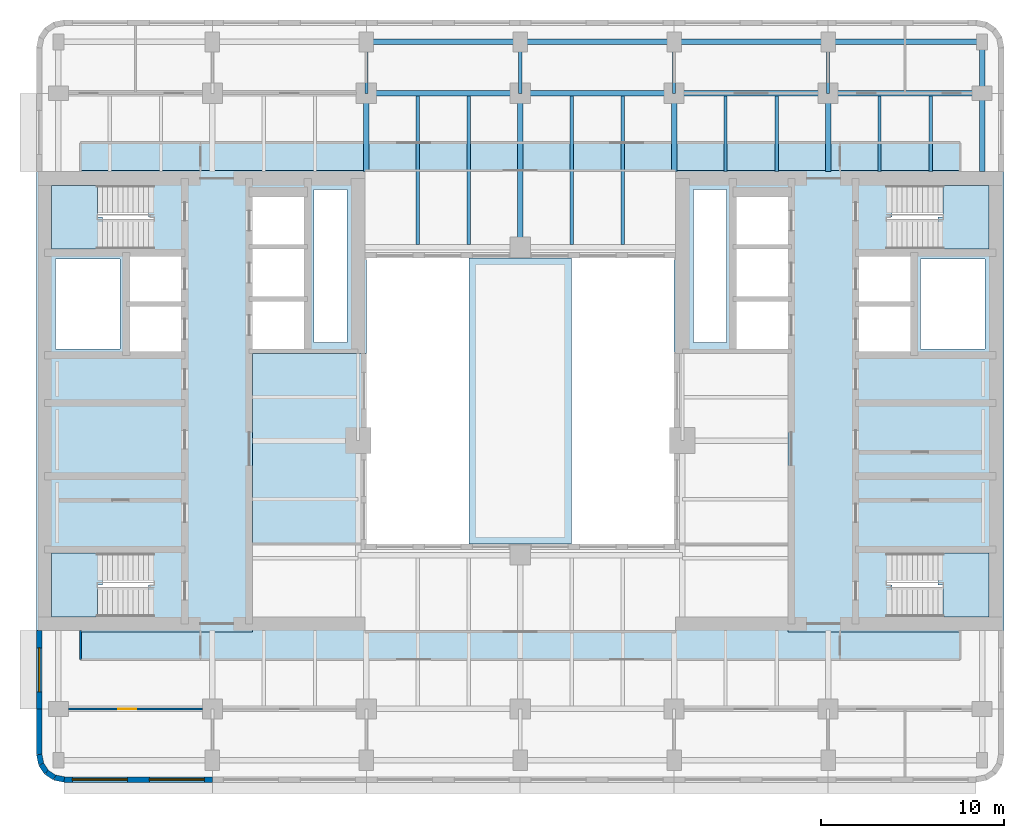
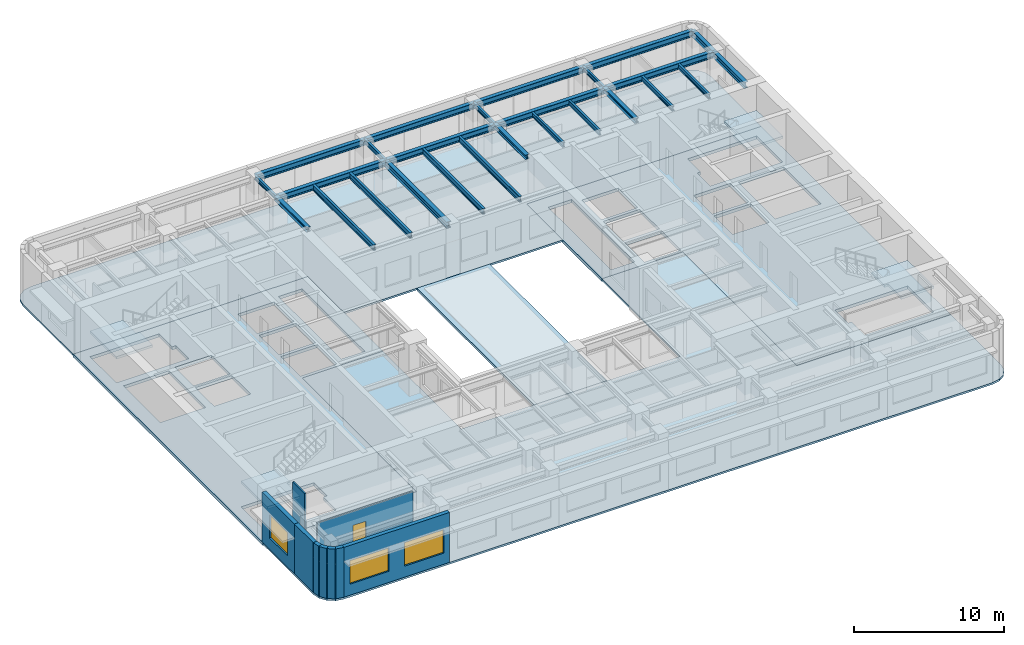
# One storey, part 2 of 11: 26 beams, 9 slabs, 9 walls, 3 windows, 1 door, 4 openings, 4 elements without a shape of their own.
"""IFC4 building model written with IfcOpenShell, lengths in metres."""

from ifc_helpers import new_model, si_unit, direction, frame, frame_2d, origin, origin_2d, place, context, subcontext, project, spatial, polyline, rectangle, i_section, outline, extrude, material, layer, layer_set, material_profile, profile_set, type_object, element, fill, aggregate, save


model = new_model("IFC4")

# Units and contexts
model_context = context("Model", 3, precision=1e-05, world=origin(), true_north=direction((0.0, 1.0)))
body_context = subcontext(model_context, "Body", "Model", "MODEL_VIEW")
ifc_project = project(units=[si_unit("LENGTHUNIT", "METRE"), si_unit("AREAUNIT", "SQUARE_METRE"), si_unit("VOLUMEUNIT", "CUBIC_METRE"), si_unit("PLANEANGLEUNIT", "RADIAN"), si_unit("MASSUNIT", "GRAM", prefix="KILO")], contexts=[model_context])

# Site, building, storey
site_placement = place(None, origin())
site = spatial("IfcSite", under=ifc_project, at=site_placement, CompositionType="ELEMENT")
building_placement = place(site_placement, origin())
building = spatial("IfcBuilding", under=site, at=building_placement, Name="Claustro Exchange Tower", CompositionType="ELEMENT")
storey_placement = place(building_placement, frame((0.0, 0.0, 177.60009765625)))
storey = spatial("IfcBuildingStorey", under=building, at=storey_placement, Name="L40", CompositionType="ELEMENT", Elevation=177.60009765625)

# Beams
ifc_material_1 = material(Name="Steel S355", Category="steel")
ifc_material_profile_1 = material_profile(ifc_material_1, i_section(OverallWidth=0.169921875, OverallDepth=0.360107421875, WebThickness=0.008056640625, FlangeThickness=0.0126953125, FilletRadius=0.01806640625, at=origin_2d()), Name="IPE 360")
ifc_profile_set_1 = profile_set([ifc_material_profile_1], Name="Steel S355")
beam_type_1 = type_object("IfcBeamType", Name="B16 IPE 360 short-span beam", PredefinedType="BEAM", material=ifc_profile_set_1)
for number, where, z_axis, x_axis, name in (
    (1, (16.800048828125, 42.0, 3.869873046875), (0.0, 1.0, 0.0), (-1.0, 0.0, 0.0), "Beam B16 L41"),
    (2, (25.199951171875, 42.0, 3.869873046875), (0.0, 1.0, 0.0), (-1.0, 0.0, 0.0), "Beam B16 L41"),
    (3, (33.60009765625, 42.0, 3.869873046875), (0.0, 1.0, 0.0), (-1.0, 0.0, 0.0), "Beam B16 L41"),
    (4, (42.0, 42.0, 3.869873046875), (0.0, 1.0, 0.0), (-1.0, 0.0, 0.0), "Beam B16 L41"),
):
    element("IfcBeam", number, at=place(storey_placement, frame(where, z_axis=z_axis, x_axis=x_axis)), inside=storey, type_object=beam_type_1, Name=name, PredefinedType="BEAM", context=body_context, shape_type="SweptSolid", body=[
        extrude(i_section(OverallWidth=0.169921875, OverallDepth=0.360107421875, WebThickness=0.008056640625, FlangeThickness=0.0126953125, FilletRadius=0.01806640625, at=origin_2d()), origin(), (0.0, 0.0, 1.0), 2.800048828125),
    ])
for number, where, z_axis, x_axis, name in (
    (5, (36.39990234375, 37.72509765625, 3.869873046875), (0.0, 1.0, 0.0), (-1.0, 0.0, 0.0), "Beam B16 L41"),
    (6, (39.199951171875, 37.72509765625, 3.869873046875), (0.0, 1.0, 0.0), (-1.0, 0.0, 0.0), "Beam B16 L41"),
    (7, (44.800048828125, 37.72509765625, 3.869873046875), (0.0, 1.0, 0.0), (-1.0, 0.0, 0.0), "Beam B16 L41"),
    (8, (47.60009765625, 37.72509765625, 3.869873046875), (0.0, 1.0, 0.0), (-1.0, 0.0, 0.0), "Beam B16 L41"),
):
    element("IfcBeam", number, at=place(storey_placement, frame(where, z_axis=z_axis, x_axis=x_axis)), inside=storey, type_object=beam_type_1, Name=name, PredefinedType="BEAM", context=body_context, shape_type="SweptSolid", body=[
        extrude(i_section(OverallWidth=0.169921875, OverallDepth=0.360107421875, WebThickness=0.008056640625, FlangeThickness=0.0126953125, FilletRadius=0.01806640625, at=origin_2d()), origin(), (0.0, 0.0, 1.0), 4.125),
    ])
ifc_material_2 = material(Name="Steel S355", Category="steel")
ifc_material_profile_2 = material_profile(ifc_material_2, i_section(OverallWidth=0.300048828125, OverallDepth=0.360107421875, WebThickness=0.012451171875, FlangeThickness=0.0224609375, FilletRadius=0.027099609375, at=origin_2d()), Name="HE 360 B")
ifc_profile_set_2 = profile_set([ifc_material_profile_2], Name="Steel S355")
beam_type_2 = type_object("IfcBeamType", Name="B29 HE 360 B column to core link beam", PredefinedType="BEAM", material=ifc_profile_set_2)
for number, where, z_axis, x_axis, name in (
    (9, (16.800048828125, 37.72509765625, 3.869873046875), (0.0, 1.0, 0.0), (-1.0, 0.0, 0.0), "Beam B29 L41"),
    (10, (33.60009765625, 37.72509765625, 3.869873046875), (0.0, 1.0, 0.0), (-1.0, 0.0, 0.0), "Beam B29 L41"),
    (11, (42.0, 37.72509765625, 3.869873046875), (0.0, 1.0, 0.0), (-1.0, 0.0, 0.0), "Beam B29 L41"),
):
    element("IfcBeam", number, at=place(storey_placement, frame(where, z_axis=z_axis, x_axis=x_axis)), inside=storey, type_object=beam_type_2, Name=name, PredefinedType="BEAM", context=body_context, shape_type="SweptSolid", body=[
        extrude(i_section(OverallWidth=0.300048828125, OverallDepth=0.360107421875, WebThickness=0.012451171875, FlangeThickness=0.0224609375, FilletRadius=0.027099609375, at=origin_2d()), origin(), (0.0, 0.0, 1.0), 4.27490234375),
    ])
ifc_material_3 = material(Name="Steel S355", Category="steel")
ifc_material_profile_3 = material_profile(ifc_material_3, i_section(OverallWidth=0.300048828125, OverallDepth=0.5, WebThickness=0.014404296875, FlangeThickness=0.028076171875, FilletRadius=0.027099609375, at=origin_2d()), Name="HE 500 B")
ifc_profile_set_3 = profile_set([ifc_material_profile_3], Name="Steel S355")
beam_type_3 = type_object("IfcBeamType", Name="B7 HE 500 B floor girder", PredefinedType="BEAM", material=ifc_profile_set_3)
for number, where, z_axis, x_axis, name in (
    (12, (25.199951171875, 33.60009765625, 3.7998046875), (0.0, 1.0, 0.0), (-1.0, 0.0, 0.0), "Beam B7 L41"),
    (13, (16.800048828125, 42.0, 3.7998046875), (1.0, 0.0, 0.0), (0.0, 1.0, 0.0), "Beam B7 L41"),
):
    element("IfcBeam", number, at=place(storey_placement, frame(where, z_axis=z_axis, x_axis=x_axis)), inside=storey, type_object=beam_type_3, Name=name, PredefinedType="BEAM", context=body_context, shape_type="SweptSolid", body=[
        extrude(i_section(OverallWidth=0.300048828125, OverallDepth=0.5, WebThickness=0.014404296875, FlangeThickness=0.028076171875, FilletRadius=0.027099609375, at=origin_2d()), origin(), (0.0, 0.0, 1.0), 8.39990234375),
    ])
beam_1_placement = place(storey_placement, frame((25.199951171875, 42.0, 3.7998046875), z_axis=(1.0, 0.0, 0.0), x_axis=(0.0, 1.0, 0.0)))
element("IfcBeam", 14, at=beam_1_placement, inside=storey, type_object=beam_type_3, Name="Beam B7 L41", PredefinedType="BEAM", context=body_context, shape_type="SweptSolid", body=[
    extrude(i_section(OverallWidth=0.300048828125, OverallDepth=0.5, WebThickness=0.014404296875, FlangeThickness=0.028076171875, FilletRadius=0.027099609375, at=origin_2d()), origin(), (0.0, 0.0, 1.0), 8.400146484375),
])
for number, where, z_axis, x_axis, name in (
    (15, (33.60009765625, 42.0, 3.7998046875), (1.0, 0.0, 0.0), (0.0, 1.0, 0.0), "Beam B7 L41"),
    (16, (42.0, 42.0, 3.7998046875), (1.0, 0.0, 0.0), (0.0, 1.0, 0.0), "Beam B7 L41"),
):
    element("IfcBeam", number, at=place(storey_placement, frame(where, z_axis=z_axis, x_axis=x_axis)), inside=storey, type_object=beam_type_3, Name=name, PredefinedType="BEAM", context=body_context, shape_type="SweptSolid", body=[
        extrude(i_section(OverallWidth=0.300048828125, OverallDepth=0.5, WebThickness=0.014404296875, FlangeThickness=0.028076171875, FilletRadius=0.027099609375, at=origin_2d()), origin(), (0.0, 0.0, 1.0), 8.39990234375),
    ])
ifc_material_4 = material(Name="Steel S355", Category="steel")
ifc_material_profile_4 = material_profile(ifc_material_4, i_section(OverallWidth=0.18994140625, OverallDepth=0.449951171875, WebThickness=0.009521484375, FlangeThickness=0.0146484375, FilletRadius=0.02099609375, at=origin_2d()), Name="IPE 450")
ifc_profile_set_4 = profile_set([ifc_material_profile_4], Name="Steel S355")
beam_type_4 = type_object("IfcBeamType", Name="B8 IPE 450 secondary beam", PredefinedType="BEAM", material=ifc_profile_set_4)
for number, where, z_axis, x_axis, name in (
    (17, (19.60009765625, 33.75, 3.824951171875), (0.0, 1.0, 0.0), (-1.0, 0.0, 0.0), "Beam B8 L41"),
    (18, (22.39990234375, 33.75, 3.824951171875), (0.0, 1.0, 0.0), (-1.0, 0.0, 0.0), "Beam B8 L41"),
    (19, (28.0, 33.75, 3.824951171875), (0.0, 1.0, 0.0), (-1.0, 0.0, 0.0), "Beam B8 L41"),
    (20, (30.800048828125, 33.75, 3.824951171875), (0.0, 1.0, 0.0), (-1.0, 0.0, 0.0), "Beam B8 L41"),
):
    element("IfcBeam", number, at=place(storey_placement, frame(where, z_axis=z_axis, x_axis=x_axis)), inside=storey, type_object=beam_type_4, Name=name, PredefinedType="BEAM", context=body_context, shape_type="SweptSolid", body=[
        extrude(i_section(OverallWidth=0.18994140625, OverallDepth=0.449951171875, WebThickness=0.009521484375, FlangeThickness=0.0146484375, FilletRadius=0.02099609375, at=origin_2d()), origin(), (0.0, 0.0, 1.0), 8.10009765625),
    ])
ifc_material_5 = material(Name="Steel S355", Category="steel")
ifc_material_profile_5 = material_profile(ifc_material_5, i_section(OverallWidth=0.300048828125, OverallDepth=0.489990234375, WebThickness=0.011962890625, FlangeThickness=0.02294921875, FilletRadius=0.027099609375, at=origin_2d()), Name="HE 500 A")
ifc_profile_set_5 = profile_set([ifc_material_profile_5], Name="Steel S355")
beam_type_5 = type_object("IfcBeamType", Name="B9 HE 500 A spandrel edge girder", PredefinedType="SPANDREL", material=ifc_profile_set_5)
beam_2_placement = place(storey_placement, frame((50.39990234375, 37.72509765625, 3.804931640625), z_axis=(0.0, 1.0, 0.0), x_axis=(-1.0, 0.0, 0.0)))
element("IfcBeam", 21, at=beam_2_placement, inside=storey, type_object=beam_type_5, Name="Beam B9 L41", PredefinedType="SPANDREL", context=body_context, shape_type="SweptSolid", body=[
    extrude(i_section(OverallWidth=0.300048828125, OverallDepth=0.489990234375, WebThickness=0.011962890625, FlangeThickness=0.02294921875, FilletRadius=0.027099609375, at=origin_2d()), origin(), (0.0, 0.0, 1.0), 4.27490234375),
])
beam_3_placement = place(storey_placement, frame((50.39990234375, 42.0, 3.804931640625), z_axis=(0.0, 1.0, 0.0), x_axis=(-1.0, 0.0, 0.0)))
element("IfcBeam", 22, at=beam_3_placement, inside=storey, type_object=beam_type_5, Name="Beam B9 L41", PredefinedType="SPANDREL", context=body_context, shape_type="SweptSolid", body=[
    extrude(i_section(OverallWidth=0.300048828125, OverallDepth=0.489990234375, WebThickness=0.011962890625, FlangeThickness=0.02294921875, FilletRadius=0.027099609375, at=origin_2d()), origin(), (0.0, 0.0, 1.0), 2.800048828125),
])
beam_4_placement = place(storey_placement, frame((16.800048828125, 44.800048828125, 3.804931640625), z_axis=(1.0, 0.0, 0.0), x_axis=(0.0, 1.0, 0.0)))
element("IfcBeam", 23, at=beam_4_placement, inside=storey, type_object=beam_type_5, Name="Beam B9 L41", PredefinedType="SPANDREL", context=body_context, shape_type="SweptSolid", body=[
    extrude(i_section(OverallWidth=0.300048828125, OverallDepth=0.489990234375, WebThickness=0.011962890625, FlangeThickness=0.02294921875, FilletRadius=0.027099609375, at=origin_2d()), origin(), (0.0, 0.0, 1.0), 8.39990234375),
])
beam_5_placement = place(storey_placement, frame((25.199951171875, 44.800048828125, 3.804931640625), z_axis=(1.0, 0.0, 0.0), x_axis=(0.0, 1.0, 0.0)))
element("IfcBeam", 24, at=beam_5_placement, inside=storey, type_object=beam_type_5, Name="Beam B9 L41", PredefinedType="SPANDREL", context=body_context, shape_type="SweptSolid", body=[
    extrude(i_section(OverallWidth=0.300048828125, OverallDepth=0.489990234375, WebThickness=0.011962890625, FlangeThickness=0.02294921875, FilletRadius=0.027099609375, at=origin_2d()), origin(), (0.0, 0.0, 1.0), 8.400146484375),
])
for number, where, z_axis, x_axis, name in (
    (25, (33.60009765625, 44.800048828125, 3.804931640625), (1.0, 0.0, 0.0), (0.0, 1.0, 0.0), "Beam B9 L41"),
    (26, (42.0, 44.800048828125, 3.804931640625), (1.0, 0.0, 0.0), (0.0, 1.0, 0.0), "Beam B9 L41"),
):
    element("IfcBeam", number, at=place(storey_placement, frame(where, z_axis=z_axis, x_axis=x_axis)), inside=storey, type_object=beam_type_5, Name=name, PredefinedType="SPANDREL", context=body_context, shape_type="SweptSolid", body=[
        extrude(i_section(OverallWidth=0.300048828125, OverallDepth=0.489990234375, WebThickness=0.011962890625, FlangeThickness=0.02294921875, FilletRadius=0.027099609375, at=origin_2d()), origin(), (0.0, 0.0, 1.0), 8.39990234375),
    ])

# Slabs
ifc_material_6 = material(Name="Concrete HA-50 (C50/60)", Category="concrete")
ifc_layer_1 = layer(ifc_material_6, 0.14990234375)
ifc_layer_set_1 = layer_set([ifc_layer_1], Name="Concrete HA-50 (C50/60)")
slab_type_1 = type_object("IfcSlabType", Name="S2 150 composite floor slab", PredefinedType="FLOOR", material=ifc_layer_set_1)
slab_1_placement = place(storey_placement, frame((0.0, 0.0, -0.150146484375)))
element("IfcSlab", 27, at=slab_1_placement, inside=storey, type_object=slab_type_1, Name="Floor slab S2 S L40", PredefinedType="FLOOR", context=body_context, shape_type="SweptSolid", body=[
    extrude(outline(polyline([(-0.27392578125, 4.51416015625), (0.300048828125, 4.39990234375), (50.10009765625, 4.39990234375), (50.674072265625, 4.51416015625), (51.16064453125, 4.83935546875), (51.48583984375, 5.325927734375), (51.60009765625, 5.89990234375), (51.60009765625, 12.60009765625), (39.800048828125, 12.60009765625), (39.800048828125, 27.800048828125), (33.60009765625, 27.800048828125), (33.60009765625, 17.39990234375), (16.800048828125, 17.39990234375), (16.800048828125, 27.800048828125), (10.60009765625, 27.800048828125), (10.60009765625, 12.60009765625), (-1.199951171875, 12.60009765625), (-1.199951171875, 5.89990234375), (-1.085693359375, 5.325927734375), (-0.7607421875, 4.83935546875), (-0.27392578125, 4.51416015625)])), origin(), (0.0, 0.0, 1.0), 0.150146484375),
])
slab_2_placement = place(storey_placement, frame((0.0, 0.0, -0.150146484375)))
element("IfcSlab", 28, at=slab_2_placement, inside=storey, type_object=slab_type_1, Name="Floor slab S2 N L40", PredefinedType="FLOOR", context=body_context, shape_type="SweptSolid", body=[
    extrude(outline(polyline([(16.800048828125, 37.800048828125), (16.800048828125, 33.0), (33.60009765625, 33.0), (33.60009765625, 37.800048828125), (51.60009765625, 37.800048828125), (51.60009765625, 44.5), (51.48583984375, 45.073974609375), (51.16064453125, 45.560791015625), (50.674072265625, 45.8857421875), (50.10009765625, 46.0), (0.300048828125, 46.0), (-0.27392578125, 45.8857421875), (-0.7607421875, 45.560791015625), (-1.085693359375, 45.073974609375), (-1.199951171875, 44.5), (-1.199951171875, 37.800048828125), (16.800048828125, 37.800048828125)])), origin(), (0.0, 0.0, 1.0), 0.150146484375),
])
ifc_material_7 = material(Name="Concrete HA-50 (C50/60)", Category="concrete")
ifc_layer_2 = layer(ifc_material_7, 0.199951171875)
ifc_layer_set_2 = layer_set([ifc_layer_2], Name="Concrete HA-50 (C50/60)")
slab_type_2 = type_object("IfcSlabType", Name="S6 200 roof slab", PredefinedType="ROOF", material=ifc_layer_set_2)
slab_3_placement = place(storey_placement, frame((0.0, 0.0, -0.2001953125)))
element("IfcSlab", 29, at=slab_3_placement, inside=storey, type_object=slab_type_2, Name="Sky bridge roof slab S6 over L39", PredefinedType="ROOF", context=body_context, shape_type="SweptSolid", body=[
    extrude(outline(polyline([(28.0, 17.39990234375), (28.0, 33.0), (22.39990234375, 33.0), (22.39990234375, 17.39990234375), (28.0, 17.39990234375)])), origin(), (0.0, 0.0, 1.0), 0.2001953125),
])
ifc_material_8 = material(Name="Concrete HA-50 (C50/60)", Category="concrete")
ifc_layer_3 = layer(ifc_material_8, 0.25)
ifc_layer_set_3 = layer_set([ifc_layer_3], Name="Concrete HA-50 (C50/60)")
slab_type_3 = type_object("IfcSlabType", Name="S7 250 core floor slab", PredefinedType="FLOOR", material=ifc_layer_set_3)
slab_4_placement = place(storey_placement, frame((0.0, 0.0, -0.25)))
element("IfcSlab", 30, at=slab_4_placement, inside=storey, type_object=slab_type_3, Name="Core floor slab S7 W core L40", PredefinedType="FLOOR", context=body_context, shape_type="SweptSolid", body=[
    extrude(outline(polyline([(-1.199951171875, 37.800048828125), (-1.199951171875, 12.60009765625), (10.60009765625, 12.60009765625), (10.60009765625, 27.800048828125), (16.800048828125, 27.800048828125), (16.800048828125, 37.800048828125), (-1.199951171875, 37.800048828125)]), holes=[polyline([(13.949951171875, 36.75), (15.75, 36.75), (15.75, 28.39990234375), (13.949951171875, 28.39990234375), (13.949951171875, 36.75)]), polyline([(10.60009765625, 30.64990234375), (13.39990234375, 30.64990234375), (13.39990234375, 28.050048828125), (10.60009765625, 28.050048828125), (10.60009765625, 30.64990234375)]), polyline([(10.60009765625, 33.5), (13.39990234375, 33.5), (13.39990234375, 30.89990234375), (10.60009765625, 30.89990234375), (10.60009765625, 33.5)]), polyline([(13.39990234375, 36.35009765625), (13.39990234375, 33.75), (10.60009765625, 33.75), (10.60009765625, 36.35009765625), (13.39990234375, 36.35009765625)]), polyline([(3.89990234375, 30.375), (6.699951171875, 30.375), (6.699951171875, 27.89990234375), (3.89990234375, 27.89990234375), (3.89990234375, 30.375)]), polyline([(3.89990234375, 33.10009765625), (6.699951171875, 33.10009765625), (6.699951171875, 30.625), (3.89990234375, 30.625), (3.89990234375, 33.10009765625)]), polyline([(-0.375, 15.16259765625), (-0.375, 16.89990234375), (5.195068359375, 16.89990234375), (5.195068359375, 15.16259765625), (4.919921875, 15.16259765625), (4.919921875, 13.425048828125), (-0.375, 13.425048828125), (-0.375, 15.16259765625)]), polyline([(-0.375, 35.237548828125), (-0.375, 36.97509765625), (4.919921875, 36.97509765625), (4.919921875, 35.237548828125), (5.195068359375, 35.237548828125), (5.195068359375, 33.5), (-0.375, 33.5), (-0.375, 35.237548828125)]), polyline([(-0.14990234375, 32.949951171875), (3.35009765625, 32.949951171875), (3.35009765625, 28.050048828125), (-0.14990234375, 28.050048828125), (-0.14990234375, 32.949951171875)])]), origin(), (0.0, 0.0, 1.0), 0.25),
])
slab_5_placement = place(storey_placement, frame((0.0, 0.0, -0.25)))
element("IfcSlab", 31, at=slab_5_placement, inside=storey, type_object=slab_type_3, Name="Core floor slab S7 E core L40", PredefinedType="FLOOR", context=body_context, shape_type="SweptSolid", body=[
    extrude(outline(polyline([(51.60009765625, 37.800048828125), (33.60009765625, 37.800048828125), (33.60009765625, 27.800048828125), (39.800048828125, 27.800048828125), (39.800048828125, 12.60009765625), (51.60009765625, 12.60009765625), (51.60009765625, 37.800048828125)]), holes=[polyline([(45.47998046875, 15.16259765625), (45.205078125, 15.16259765625), (45.205078125, 16.89990234375), (50.77490234375, 16.89990234375), (50.77490234375, 15.16259765625), (50.77490234375, 13.425048828125), (45.47998046875, 13.425048828125), (45.47998046875, 15.16259765625)]), polyline([(45.47998046875, 35.237548828125), (45.47998046875, 36.97509765625), (50.77490234375, 36.97509765625), (50.77490234375, 35.237548828125), (50.77490234375, 33.5), (45.205078125, 33.5), (45.205078125, 35.237548828125), (45.47998046875, 35.237548828125)]), polyline([(47.050048828125, 32.949951171875), (50.550048828125, 32.949951171875), (50.550048828125, 28.050048828125), (47.050048828125, 28.050048828125), (47.050048828125, 32.949951171875)]), polyline([(43.699951171875, 30.375), (46.5, 30.375), (46.5, 27.89990234375), (43.699951171875, 27.89990234375), (43.699951171875, 30.375)]), polyline([(43.699951171875, 33.10009765625), (46.5, 33.10009765625), (46.5, 30.625), (43.699951171875, 30.625), (43.699951171875, 33.10009765625)]), polyline([(37.0, 30.64990234375), (39.800048828125, 30.64990234375), (39.800048828125, 28.050048828125), (37.0, 28.050048828125), (37.0, 30.64990234375)]), polyline([(37.0, 33.5), (39.800048828125, 33.5), (39.800048828125, 30.89990234375), (37.0, 30.89990234375), (37.0, 33.5)]), polyline([(39.800048828125, 36.35009765625), (39.800048828125, 33.75), (37.0, 33.75), (37.0, 36.35009765625), (39.800048828125, 36.35009765625)]), polyline([(34.64990234375, 36.75), (36.449951171875, 36.75), (36.449951171875, 28.39990234375), (34.64990234375, 28.39990234375), (34.64990234375, 36.75)])]), origin(), (0.0, 0.0, 1.0), 0.25),
])

# Stair, slab
ifc_material_9 = material(Name="Concrete HA-30 (C30/37), precast", Category="concrete")
stair_type = type_object("IfcStairType", Name="ST1 half-turn stair, 24 risers of 175", PredefinedType="HALF_TURN_STAIR", material=ifc_material_9)
stair_1_placement = place(storey_placement, origin())
stair_1 = element("IfcStair", 32, at=stair_1_placement, inside=storey, type_object=stair_type, Name="Stair STWA L40", PredefinedType="HALF_TURN_STAIR")
ifc_material_10 = material(Name="Concrete HA-30 (C30/37), precast", Category="concrete")
ifc_layer_4 = layer(ifc_material_10, 0.199951171875)
ifc_layer_set_4 = layer_set([ifc_layer_4], Name="Concrete HA-30 (C30/37), precast")
slab_type_4 = type_object("IfcSlabType", Name="S9 200 stair landing", PredefinedType="LANDING", material=ifc_layer_set_4)
slab_6_placement = place(storey_placement, frame((0.0, 0.0, 1.89990234375)))
slab_6 = element("IfcSlab", 33, at=slab_6_placement, type_object=slab_type_4, Name="STWA landing 1", PredefinedType="LANDING", context=body_context, shape_type="SweptSolid", body=[
    extrude(outline(polyline([(2.125, 13.425048828125), (-0.375, 13.425048828125), (-0.375, 16.89990234375), (2.1201171875, 16.89990234375), (2.125, 16.89990234375), (2.39990234375, 16.89990234375), (2.39990234375, 15.16259765625), (2.125, 15.16259765625), (2.125, 13.425048828125)])), origin(), (0.0, 0.0, 1.0), 0.199951171875),
])
aggregate(stair_1, [slab_6])

stair_2_placement = place(storey_placement, origin())
stair_2 = element("IfcStair", 34, at=stair_2_placement, inside=storey, type_object=stair_type, Name="Stair STWB L40", PredefinedType="HALF_TURN_STAIR")
slab_7_placement = place(storey_placement, frame((0.0, 0.0, 1.89990234375)))
slab_7 = element("IfcSlab", 35, at=slab_7_placement, type_object=slab_type_4, Name="STWB landing 1", PredefinedType="LANDING", context=body_context, shape_type="SweptSolid", body=[
    extrude(outline(polyline([(2.39990234375, 35.237548828125), (2.39990234375, 33.5), (2.125, 33.5), (2.1201171875, 33.5), (-0.375, 33.5), (-0.375, 36.97509765625), (2.125, 36.97509765625), (2.125, 35.237548828125), (2.39990234375, 35.237548828125)])), origin(), (0.0, 0.0, 1.0), 0.199951171875),
])
aggregate(stair_2, [slab_7])

stair_3_placement = place(storey_placement, origin())
stair_3 = element("IfcStair", 36, at=stair_3_placement, inside=storey, type_object=stair_type, Name="Stair STEA L40", PredefinedType="HALF_TURN_STAIR")
slab_8_placement = place(storey_placement, frame((0.0, 0.0, 1.89990234375)))
slab_8 = element("IfcSlab", 37, at=slab_8_placement, type_object=slab_type_4, Name="STEA landing 1", PredefinedType="LANDING", context=body_context, shape_type="SweptSolid", body=[
    extrude(outline(polyline([(50.77490234375, 16.89990234375), (50.77490234375, 13.425048828125), (48.27490234375, 13.425048828125), (48.27490234375, 15.16259765625), (48.0, 15.16259765625), (48.0, 16.89990234375), (48.27490234375, 16.89990234375), (48.280029296875, 16.89990234375), (50.77490234375, 16.89990234375)])), origin(), (0.0, 0.0, 1.0), 0.199951171875),
])
aggregate(stair_3, [slab_8])

stair_4_placement = place(storey_placement, origin())
stair_4 = element("IfcStair", 38, at=stair_4_placement, inside=storey, type_object=stair_type, Name="Stair STEB L40", PredefinedType="HALF_TURN_STAIR")
slab_9_placement = place(storey_placement, frame((0.0, 0.0, 1.89990234375)))
slab_9 = element("IfcSlab", 39, at=slab_9_placement, type_object=slab_type_4, Name="STEB landing 1", PredefinedType="LANDING", context=body_context, shape_type="SweptSolid", body=[
    extrude(outline(polyline([(48.0, 33.5), (48.0, 35.237548828125), (48.27490234375, 35.237548828125), (48.27490234375, 36.97509765625), (50.77490234375, 36.97509765625), (50.77490234375, 33.5), (48.280029296875, 33.5), (48.27490234375, 33.5), (48.0, 33.5)])), origin(), (0.0, 0.0, 1.0), 0.199951171875),
])
aggregate(stair_4, [slab_9])

# Wall, opening, door
ifc_material_11 = material(Name="Laminated glass in aluminium frame", Category="aluminium")
ifc_layer_5 = layer(ifc_material_11, 0.1201171875)
ifc_layer_set_5 = layer_set([ifc_layer_5], Name="Laminated glass in aluminium frame")
wall_type_1 = type_object("IfcWallType", Name="P2 120 glazed partition", PredefinedType="PARTITIONING", material=ifc_layer_set_5)
wall_1_placement = place(storey_placement, frame((0.549072265625, 8.39990234375, 0.0), z_axis=(0.0, 0.0, 1.0), x_axis=(1.0, 0.0, 0.0)))
wall_1 = element("IfcWall", 40, at=wall_1_placement, inside=storey, type_object=wall_type_1, Name="Partition P2 L40", PredefinedType="PARTITIONING", context=body_context, shape_type="SweptSolid", body=[
    extrude(rectangle(XDim=7.302001953125, YDim=0.1201171875, at=frame_2d((3.65087890625, 0.0))), origin(), (0.0, 0.0, 1.0), 3.5498046875),
])
opening_1_placement = place(wall_1_placement, frame((2.700927734375, 0.0, 0.0)))
opening_1 = element("IfcOpeningElement", 41, at=opening_1_placement, cuts=wall_1, Name="Opening D7", PredefinedType="OPENING", context=body_context, shape_type="SweptSolid", body=[
    extrude(rectangle(XDim=1.0, YDim=2.39990234375, at=frame_2d((0.5, 1.199951171875))), frame((0.0, 0.070068359375, 0.0), z_axis=(0.0, -1.0, 0.0), x_axis=(1.0, 0.0, 0.0)), (0.0, 0.0, 1.0), 0.14013671875),
])
ifc_material_12 = material(Name="Glass door in aluminium frame", Category="aluminium")
door_type = type_object("IfcDoorType", Name="D7 1000 x 2400 glazed door", OperationType="SINGLE_SWING_LEFT", PredefinedType="DOOR", material=ifc_material_12)
door_placement = place(opening_1_placement, frame((1.0, 0.0, 0.0), z_axis=(0.0, 0.0, 1.0), x_axis=(-1.0, 0.0, 0.0)))
door = element("IfcDoor", 42, at=door_placement, inside=storey, type_object=door_type, Name="Door D7 L40", OperationType="SINGLE_SWING_LEFT", OverallHeight=2.39990234375, OverallWidth=1.0, PredefinedType="DOOR", context=body_context, shape_type="SweptSolid", body=[
    extrude(rectangle(XDim=1.0, YDim=2.39990234375, at=frame_2d((0.5, 1.199951171875))), frame((0.0, 0.02490234375, 0.0), z_axis=(0.0, -1.0, 0.0), x_axis=(1.0, 0.0, 0.0)), (0.0, 0.0, 1.0), 0.050048828125),
])
fill(opening_1, door)

# Wall
wall_2_placement = place(storey_placement, frame((1.199951171875, 11.10009765625, 0.0), z_axis=(0.0, 0.0, 1.0), x_axis=(0.0, 1.0, 0.0)))
element("IfcWall", 43, at=wall_2_placement, inside=storey, type_object=wall_type_1, Name="Partition P2 L40", PredefinedType="PARTITIONING", context=body_context, shape_type="SweptSolid", body=[
    extrude(rectangle(XDim=1.575927734375, YDim=0.1201171875, at=frame_2d((0.7880859375, 0.0))), origin(), (0.0, 0.0, 1.0), 4.0498046875),
])

# Wall, openings, windows
ifc_material_13 = material(Name="Concrete HA-40 (C40/50), precast, white cement, acid-etched", Category="concrete")
ifc_layer_6 = layer(ifc_material_13, 0.300048828125)
ifc_layer_set_6 = layer_set([ifc_layer_6], Name="Concrete HA-40 (C40/50), precast, white cement, acid-etched")
wall_type_2 = type_object("IfcWallType", Name="PC1 300 precast concrete pier panel", PredefinedType="SOLIDWALL", material=ifc_layer_set_6)
wall_3_placement = place(storey_placement, frame((8.39990234375, 4.550048828125, 0.0), z_axis=(0.0, 0.0, 1.0), x_axis=(-1.0, 0.0, 0.0)))
wall_3 = element("IfcWall", 44, at=wall_3_placement, inside=storey, type_object=wall_type_2, Name="Precast pier panel PC1 L40", PredefinedType="SOLIDWALL", context=body_context, shape_type="SweptSolid", body=[
    extrude(rectangle(XDim=8.085205078125, YDim=0.300048828125, at=frame_2d((4.04248046875, 0.0))), origin(), (0.0, 0.0, 1.0), 4.0498046875),
])
opening_2_placement = place(wall_3_placement, frame((0.442626953125, 0.0, 0.89990234375)))
opening_2 = element("IfcOpeningElement", 45, at=opening_2_placement, cuts=wall_3, Name="Opening W1", PredefinedType="OPENING", context=body_context, shape_type="SweptSolid", body=[
    extrude(rectangle(XDim=3.0, YDim=1.89990234375, at=frame_2d((1.5, 0.949951171875))), frame((0.0, 0.159912109375, 0.0), z_axis=(0.0, -1.0, 0.0), x_axis=(1.0, 0.0, 0.0)), (0.0, 0.0, 1.0), 0.320068359375),
])
opening_3_placement = place(wall_3_placement, frame((4.642578125, 0.0, 0.89990234375)))
opening_3 = element("IfcOpeningElement", 46, at=opening_3_placement, cuts=wall_3, Name="Opening W1", PredefinedType="OPENING", context=body_context, shape_type="SweptSolid", body=[
    extrude(rectangle(XDim=3.0, YDim=1.89990234375, at=frame_2d((1.5, 0.949951171875))), frame((0.0, 0.159912109375, 0.0), z_axis=(0.0, -1.0, 0.0), x_axis=(1.0, 0.0, 0.0)), (0.0, 0.0, 1.0), 0.320068359375),
])
ifc_material_14 = material(Name="Aluminium frame, clear double glazing", Category="aluminium")
window_type_1 = type_object("IfcWindowType", Name="W1 3000 x 1900 window", PartitioningType="SINGLE_PANEL", PredefinedType="WINDOW", material=ifc_material_14)
window_1_placement = place(opening_2_placement, origin())
window_1 = element("IfcWindow", 47, at=window_1_placement, inside=storey, type_object=window_type_1, Name="Window W1 L40", OverallHeight=1.89990234375, OverallWidth=3.0, PartitioningType="SINGLE_PANEL", PredefinedType="WINDOW", context=body_context, shape_type="SweptSolid", body=[
    extrude(rectangle(XDim=3.0, YDim=1.89990234375, at=frame_2d((1.5, 0.949951171875))), frame((0.0, 0.030029296875, 0.0), z_axis=(0.0, -1.0, 0.0), x_axis=(1.0, 0.0, 0.0)), (0.0, 0.0, 1.0), 0.06005859375),
])
fill(opening_2, window_1)
window_2_placement = place(opening_3_placement, origin())
window_2 = element("IfcWindow", 48, at=window_2_placement, inside=storey, type_object=window_type_1, Name="Window W1 L40", OverallHeight=1.89990234375, OverallWidth=3.0, PartitioningType="SINGLE_PANEL", PredefinedType="WINDOW", context=body_context, shape_type="SweptSolid", body=[
    extrude(rectangle(XDim=3.0, YDim=1.89990234375, at=frame_2d((1.5, 0.949951171875))), frame((0.0, 0.030029296875, 0.0), z_axis=(0.0, -1.0, 0.0), x_axis=(1.0, 0.0, 0.0)), (0.0, 0.0, 1.0), 0.06005859375),
])
fill(opening_3, window_2)

# Walls
wall_4_placement = place(storey_placement, frame((0.314697265625, 4.550048828125, 0.0), z_axis=(0.0, 0.0, 1.0), x_axis=(-0.980788534345, 0.195073962632, 0.0)))
element("IfcWall", 49, at=wall_4_placement, inside=storey, type_object=wall_type_2, Name="Precast pier panel PC1 L40", PredefinedType="SOLIDWALL", context=body_context, shape_type="SweptSolid", body=[
    extrude(rectangle(XDim=0.540771484375, YDim=0.300048828125, at=frame_2d((0.2705078125, 0.0))), origin(), (0.0, 0.0, 1.0), 4.0498046875),
])
for number, where, z_axis, x_axis, name in (
    (50, (-0.215576171875, 4.655517578125, 0.0), (0.0, 0.0, 1.0), (-0.831478144188, 0.555557463938, 0.0), "Precast pier panel PC1 L40"),
    (51, (-0.652587890625, 4.947509765625, 0.0), (0.0, 0.0, 1.0), (-0.555557463938, 0.831478144188, 0.0), "Precast pier panel PC1 L40"),
):
    element("IfcWall", number, at=place(storey_placement, frame(where, z_axis=z_axis, x_axis=x_axis)), inside=storey, type_object=wall_type_2, Name=name, PredefinedType="SOLIDWALL", context=body_context, shape_type="SweptSolid", body=[
        extrude(rectangle(XDim=0.525634765625, YDim=0.300048828125, at=frame_2d((0.2626953125, 0.0))), origin(), (0.0, 0.0, 1.0), 4.0498046875),
    ])
wall_5_placement = place(storey_placement, frame((-0.944580078125, 5.384521484375, 0.0), z_axis=(0.0, 0.0, 1.0), x_axis=(-0.195073962632, 0.980788534345, 0.0)))
element("IfcWall", 52, at=wall_5_placement, inside=storey, type_object=wall_type_2, Name="Precast pier panel PC1 L40", PredefinedType="SOLIDWALL", context=body_context, shape_type="SweptSolid", body=[
    extrude(rectangle(XDim=0.540771484375, YDim=0.300048828125, at=frame_2d((0.2705078125, 0.0))), origin(), (0.0, 0.0, 1.0), 4.0498046875),
])
wall_6_placement = place(storey_placement, frame((-1.050048828125, 5.914794921875, 0.0), z_axis=(0.0, 0.0, 1.0), x_axis=(0.0, 1.0, 0.0)))
element("IfcWall", 53, at=wall_6_placement, inside=storey, type_object=wall_type_2, Name="Precast pier panel PC1 L40", PredefinedType="SOLIDWALL", context=body_context, shape_type="SweptSolid", body=[
    extrude(rectangle(XDim=2.485107421875, YDim=0.300048828125, at=frame_2d((1.24267578125, 0.0))), origin(), (0.0, 0.0, 1.0), 4.0498046875),
])

# Wall, opening, window
wall_7_placement = place(storey_placement, frame((-1.050048828125, 8.39990234375, 0.0), z_axis=(0.0, 0.0, 1.0), x_axis=(0.0, 1.0, 0.0)))
wall_7 = element("IfcWall", 54, at=wall_7_placement, inside=storey, type_object=wall_type_2, Name="Precast pier panel PC1 L40", PredefinedType="SOLIDWALL", context=body_context, shape_type="SweptSolid", body=[
    extrude(rectangle(XDim=4.275146484375, YDim=0.300048828125, at=frame_2d((2.1376953125, 0.0))), origin(), (0.0, 0.0, 1.0), 4.0498046875),
])
opening_4_placement = place(wall_7_placement, frame((0.9375, 0.0, 0.89990234375)))
opening_4 = element("IfcOpeningElement", 55, at=opening_4_placement, cuts=wall_7, Name="Opening W2", PredefinedType="OPENING", context=body_context, shape_type="SweptSolid", body=[
    extrude(rectangle(XDim=2.39990234375, YDim=1.89990234375, at=frame_2d((1.199951171875, 0.949951171875))), frame((0.0, 0.159912109375, 0.0), z_axis=(0.0, -1.0, 0.0), x_axis=(1.0, 0.0, 0.0)), (0.0, 0.0, 1.0), 0.320068359375),
])
ifc_material_15 = material(Name="Aluminium frame, clear double glazing", Category="aluminium")
window_type_2 = type_object("IfcWindowType", Name="W2 2400 x 1900 window", PartitioningType="SINGLE_PANEL", PredefinedType="WINDOW", material=ifc_material_15)
window_3_placement = place(opening_4_placement, origin())
window_3 = element("IfcWindow", 56, at=window_3_placement, inside=storey, type_object=window_type_2, Name="Window W2 L40", OverallHeight=1.89990234375, OverallWidth=2.39990234375, PartitioningType="SINGLE_PANEL", PredefinedType="WINDOW", context=body_context, shape_type="SweptSolid", body=[
    extrude(rectangle(XDim=2.39990234375, YDim=1.89990234375, at=frame_2d((1.199951171875, 0.949951171875))), frame((0.0, 0.030029296875, 0.0), z_axis=(0.0, -1.0, 0.0), x_axis=(1.0, 0.0, 0.0)), (0.0, 0.0, 1.0), 0.06005859375),
])
fill(opening_4, window_3)

save(model, "model.ifc")
